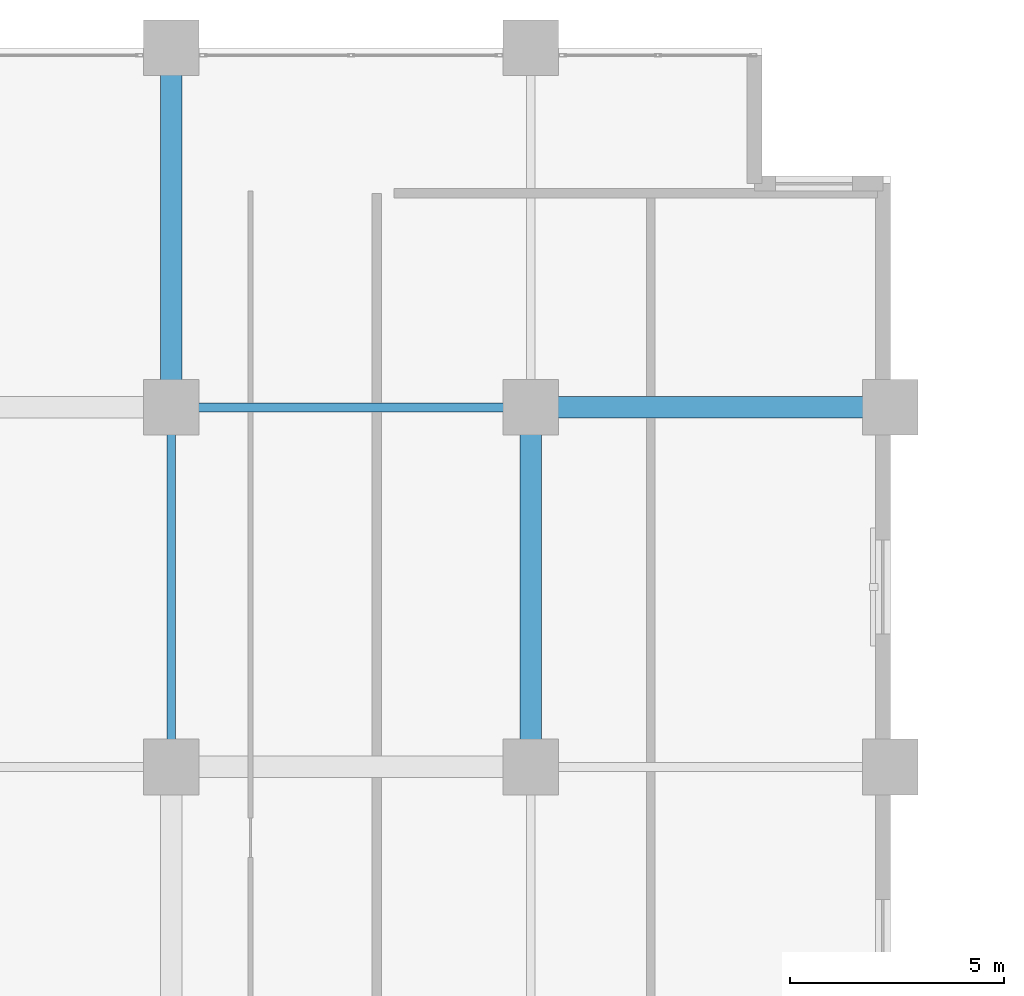
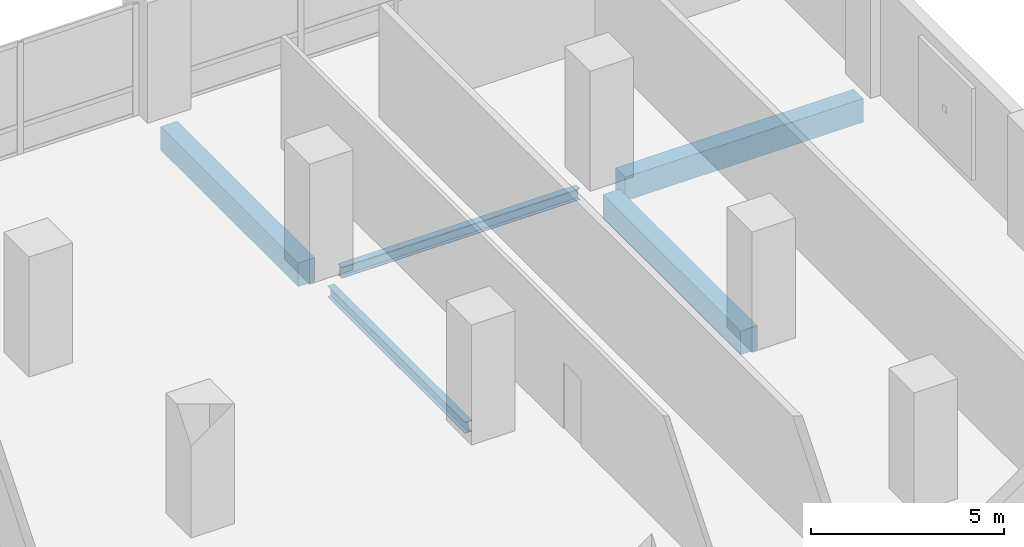
# One storey, part 4 of 22: 5 beams.
"""IFC4 building model written with IfcOpenShell, lengths in metres."""

from ifc_helpers import new_model, si_unit, direction, frame, origin, origin_2d, place, context, subcontext, project, spatial, rectangle, i_section, extrude, material, material_profile, profile_set, type_object, element, save


model = new_model("IFC4")

# Units and contexts
model_context = context("Model", 3, precision=1e-05, world=origin(), true_north=direction((0.0, 1.0)))
body_context = subcontext(model_context, "Body", "Model", "MODEL_VIEW")
ifc_project = project(units=[si_unit("LENGTHUNIT", "METRE"), si_unit("AREAUNIT", "SQUARE_METRE"), si_unit("VOLUMEUNIT", "CUBIC_METRE"), si_unit("PLANEANGLEUNIT", "RADIAN"), si_unit("MASSUNIT", "GRAM", prefix="KILO")], contexts=[model_context])

# Site, building, storey
site_placement = place(None, origin())
site = spatial("IfcSite", under=ifc_project, at=site_placement, CompositionType="ELEMENT")
building_placement = place(site_placement, origin())
building = spatial("IfcBuilding", under=site, at=building_placement, Name="Koriwani Terraces Tower", CompositionType="ELEMENT")
storey_placement = place(building_placement, frame((0.0, 0.0, 141.800048828125)))
storey = spatial("IfcBuildingStorey", under=building, at=storey_placement, Name="L34", CompositionType="ELEMENT", Elevation=141.800048828125)

# Beams
ifc_material_1 = material(Name="Concrete C50/60", Category="concrete")
ifc_material_profile_1 = material_profile(ifc_material_1, rectangle(XDim=0.5, YDim=0.75, at=origin_2d()), Name="Concrete C50/60", Category="LoadBearing")
ifc_profile_set_1 = profile_set([ifc_material_profile_1], Name="Concrete C50/60")
beam_type_1 = type_object("IfcBeamType", Name="BEAM_RC_GRID_500X750", PredefinedType="BEAM", material=ifc_profile_set_1)
beam_placement = place(storey_placement, frame((25.830078125, 84.0, -0.625), z_axis=(1.0, 0.0, 0.0), x_axis=(0.0, 1.0, 0.0)))
element("IfcBeam", 1, at=beam_placement, inside=storey, type_object=beam_type_1, Name="L34 Grid Beam K (25.2-33.6m)", PredefinedType="BEAM", context=body_context, shape_type="SweptSolid", body=[
    extrude(rectangle(XDim=0.5, YDim=0.75, at=origin_2d()), origin(), (0.0, 0.0, 1.0), 7.139892578125),
])
for number, where, z_axis, x_axis, name in (
    (2, (16.800048828125, 84.6298828125, -0.625), (0.0, 1.0, 0.0), (-1.0, 0.0, 0.0), "L34 Grid Beam 3 (84.0-92.4m)"),
    (3, (25.199951171875, 76.22998046875, -0.625), (0.0, 1.0, 0.0), (-1.0, 0.0, 0.0), "L34 Grid Beam 4 (75.6-84.0m)"),
):
    element("IfcBeam", number, at=place(storey_placement, frame(where, z_axis=z_axis, x_axis=x_axis)), inside=storey, type_object=beam_type_1, Name=name, PredefinedType="BEAM", context=body_context, shape_type="SweptSolid", body=[
        extrude(rectangle(XDim=0.5, YDim=0.75, at=origin_2d()), origin(), (0.0, 0.0, 1.0), 7.14013671875),
    ])
ifc_material_2 = material(Name="Steel ASTM A572 Grade 50", Category="steel")
ifc_material_profile_2 = material_profile(ifc_material_2, i_section(OverallWidth=0.205078125, OverallDepth=0.35400390625, WebThickness=0.009521484375, FlangeThickness=0.016845703125, at=origin_2d()), Name="Steel ASTM A572 Grade 50", Category="LoadBearing")
ifc_profile_set_2 = profile_set([ifc_material_profile_2], Name="Steel ASTM A572 Grade 50")
beam_type_2 = type_object("IfcBeamType", Name="STEEL_BEAM_W360X79", PredefinedType="JOIST", material=ifc_profile_set_2)
for number, where, z_axis, x_axis, name in (
    (4, (17.429931640625, 84.0, -0.427001953125), (1.0, 0.0, 0.0), (0.0, 1.0, 0.0), "L34 Grid Beam K (16.8-25.2m)"),
    (5, (16.800048828125, 76.22998046875, -0.427001953125), (0.0, 1.0, 0.0), (-1.0, 0.0, 0.0), "L34 Grid Beam 3 (75.6-84.0m)"),
):
    element("IfcBeam", number, at=place(storey_placement, frame(where, z_axis=z_axis, x_axis=x_axis)), inside=storey, type_object=beam_type_2, Name=name, PredefinedType="JOIST", context=body_context, shape_type="SweptSolid", body=[
        extrude(i_section(OverallWidth=0.205078125, OverallDepth=0.35400390625, WebThickness=0.009521484375, FlangeThickness=0.016845703125, at=origin_2d()), origin(), (0.0, 0.0, 1.0), 7.14013671875),
    ])

save(model, "model.ifc")
